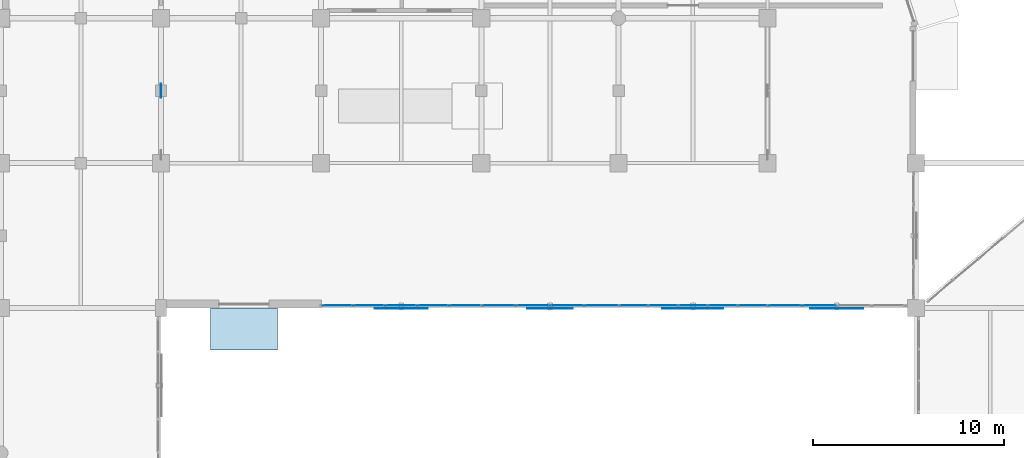
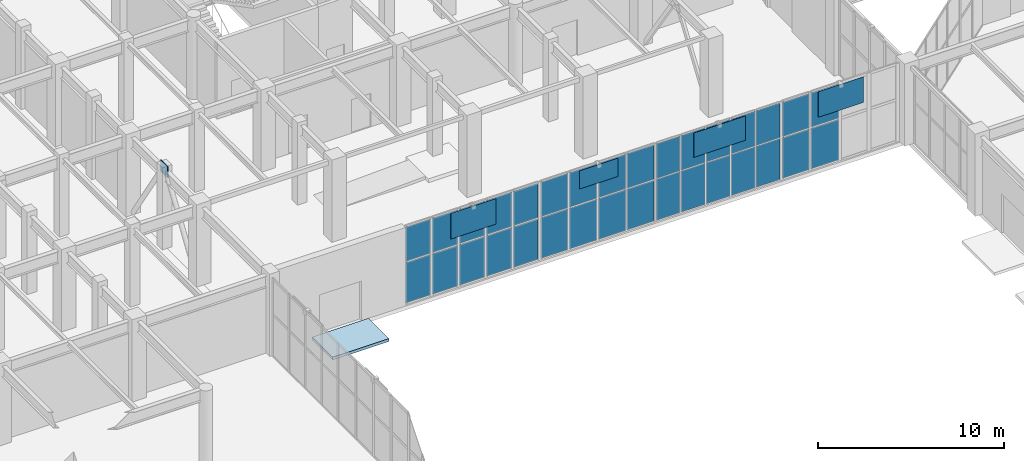
# One storey, part 104 of 139: 37 plates, 1 slab, 4 elements without a shape of their own.
"""IFC4 building model written with IfcOpenShell, lengths in metres."""

from ifc_helpers import new_model, si_unit, direction, frame, origin, origin_2d, place, context, subcontext, project, spatial, polyline, rectangle, outline, extrude, material, layer, layer_set, type_object, element, aggregate, save


model = new_model("IFC4")

# Units and contexts
model_context = context("Model", 3, precision=1e-05, world=origin(), true_north=direction((0.0, 1.0)))
body_context = subcontext(model_context, "Body", "Model", "MODEL_VIEW")
ifc_project = project(units=[si_unit("LENGTHUNIT", "METRE"), si_unit("AREAUNIT", "SQUARE_METRE"), si_unit("VOLUMEUNIT", "CUBIC_METRE"), si_unit("PLANEANGLEUNIT", "RADIAN"), si_unit("MASSUNIT", "GRAM", prefix="KILO")], contexts=[model_context])

# Site, building, storey
site_placement = place(None, origin())
site = spatial("IfcSite", under=ifc_project, at=site_placement, CompositionType="ELEMENT")
building_placement = place(site_placement, origin())
building = spatial("IfcBuilding", under=site, at=building_placement, Name="Xicomal Pleat Aquarium", CompositionType="ELEMENT")
storey_placement = place(building_placement, origin())
storey = spatial("IfcBuildingStorey", under=building, at=storey_placement, Name="L01", CompositionType="ELEMENT", Elevation=0.0)

# Curtain wall, plates
ifc_material_1 = material(Name="Bronze anodized aluminium 6063-T6", Category="aluminium")
ifc_layer_1 = layer(ifc_material_1, 0.159912109375)
ifc_layer_set_1 = layer_set([ifc_layer_1], Name="Bronze anodized aluminium 6063-T6")
curtain_wall_type_1 = type_object("IfcCurtainWallType", Name="CW-SYS-01", PredefinedType="NOTDEFINED", material=ifc_layer_set_1)
curtain_wall_1_placement = place(storey_placement, origin())
curtain_wall_1 = element("IfcCurtainWall", 1, at=curtain_wall_1_placement, inside=storey, type_object=curtain_wall_type_1, Name="L01 unitised curtain wall CW-L01-048", PredefinedType="NOTDEFINED")
ifc_material_2 = material(Name="Insulated low-E laminated glass", Category="glass")
ifc_layer_2 = layer(ifc_material_2, 0.028076171875)
ifc_layer_set_2 = layer_set([ifc_layer_2], Name="Insulated low-E laminated glass")
plate_type_1 = type_object("IfcPlateType", Name="CWP-GLZ-28", PredefinedType="CURTAIN_PANEL", material=ifc_layer_set_2)
plate_1_placement = place(storey_placement, frame((125.20361328125, 30.5400390625, 0.06494140625), z_axis=(0.0, 0.0, 1.0), x_axis=(-1.0, 0.0, 0.0)))
plate_1 = element("IfcPlate", 2, at=plate_1_placement, type_object=plate_type_1, Name="CW-01 panel 1.1", PredefinedType="CURTAIN_PANEL", context=body_context, shape_type="SweptSolid", body=[
    extrude(rectangle(XDim=1.46240234375, YDim=0.028076171875, at=origin_2d()), origin(), (0.0, 0.0, 1.0), 2.6884765625),
])
plate_2_placement = place(storey_placement, frame((125.20361328125, 30.5400390625, 2.818359375), z_axis=(0.0, 0.0, 1.0), x_axis=(-1.0, 0.0, 0.0)))
plate_2 = element("IfcPlate", 3, at=plate_2_placement, type_object=plate_type_1, Name="CW-01 panel 1.2", PredefinedType="CURTAIN_PANEL", context=body_context, shape_type="SweptSolid", body=[
    extrude(rectangle(XDim=1.46240234375, YDim=0.028076171875, at=origin_2d()), origin(), (0.0, 0.0, 1.0), 2.276611328125),
])
plate_3_placement = place(storey_placement, frame((123.659912109375, 30.5400390625, 0.06494140625), z_axis=(0.0, 0.0, 1.0), x_axis=(-1.0, 0.0, 0.0)))
plate_3 = element("IfcPlate", 4, at=plate_3_placement, type_object=plate_type_1, Name="CW-01 panel 2.1", PredefinedType="CURTAIN_PANEL", context=body_context, shape_type="SweptSolid", body=[
    extrude(rectangle(XDim=1.4951171875, YDim=0.028076171875, at=origin_2d()), origin(), (0.0, 0.0, 1.0), 2.6884765625),
])
plate_4_placement = place(storey_placement, frame((123.659912109375, 30.5400390625, 2.818359375), z_axis=(0.0, 0.0, 1.0), x_axis=(-1.0, 0.0, 0.0)))
plate_4 = element("IfcPlate", 5, at=plate_4_placement, type_object=plate_type_1, Name="CW-01 panel 2.2", PredefinedType="CURTAIN_PANEL", context=body_context, shape_type="SweptSolid", body=[
    extrude(rectangle(XDim=1.4951171875, YDim=0.028076171875, at=origin_2d()), origin(), (0.0, 0.0, 1.0), 2.276611328125),
])
plate_5_placement = place(storey_placement, frame((122.10009765625, 30.5400390625, 0.06494140625), z_axis=(0.0, 0.0, 1.0), x_axis=(-1.0, 0.0, 0.0)))
plate_5 = element("IfcPlate", 6, at=plate_5_placement, type_object=plate_type_1, Name="CW-01 panel 3.1", PredefinedType="CURTAIN_PANEL", context=body_context, shape_type="SweptSolid", body=[
    extrude(rectangle(XDim=1.4951171875, YDim=0.028076171875, at=origin_2d()), origin(), (0.0, 0.0, 1.0), 2.6884765625),
])
plate_6_placement = place(storey_placement, frame((122.10009765625, 30.5400390625, 2.818359375), z_axis=(0.0, 0.0, 1.0), x_axis=(-1.0, 0.0, 0.0)))
plate_6 = element("IfcPlate", 7, at=plate_6_placement, type_object=plate_type_1, Name="CW-01 panel 3.2", PredefinedType="CURTAIN_PANEL", context=body_context, shape_type="SweptSolid", body=[
    extrude(rectangle(XDim=1.4951171875, YDim=0.028076171875, at=origin_2d()), origin(), (0.0, 0.0, 1.0), 2.276611328125),
])
plate_7_placement = place(storey_placement, frame((120.5400390625, 30.5400390625, 0.06494140625), z_axis=(0.0, 0.0, 1.0), x_axis=(-1.0, 0.0, 0.0)))
plate_7 = element("IfcPlate", 8, at=plate_7_placement, type_object=plate_type_1, Name="CW-01 panel 4.1", PredefinedType="CURTAIN_PANEL", context=body_context, shape_type="SweptSolid", body=[
    extrude(rectangle(XDim=1.4951171875, YDim=0.028076171875, at=origin_2d()), origin(), (0.0, 0.0, 1.0), 2.6884765625),
])
plate_8_placement = place(storey_placement, frame((120.5400390625, 30.5400390625, 2.818359375), z_axis=(0.0, 0.0, 1.0), x_axis=(-1.0, 0.0, 0.0)))
plate_8 = element("IfcPlate", 9, at=plate_8_placement, type_object=plate_type_1, Name="CW-01 panel 4.2", PredefinedType="CURTAIN_PANEL", context=body_context, shape_type="SweptSolid", body=[
    extrude(rectangle(XDim=1.4951171875, YDim=0.028076171875, at=origin_2d()), origin(), (0.0, 0.0, 1.0), 2.276611328125),
])
plate_9_placement = place(storey_placement, frame((118.996337890625, 30.5400390625, 0.06494140625), z_axis=(0.0, 0.0, 1.0), x_axis=(-1.0, 0.0, 0.0)))
plate_9 = element("IfcPlate", 10, at=plate_9_placement, type_object=plate_type_1, Name="CW-01 panel 5.1", PredefinedType="CURTAIN_PANEL", context=body_context, shape_type="SweptSolid", body=[
    extrude(rectangle(XDim=1.46240234375, YDim=0.028076171875, at=origin_2d()), origin(), (0.0, 0.0, 1.0), 2.6884765625),
])
plate_10_placement = place(storey_placement, frame((118.996337890625, 30.5400390625, 2.818359375), z_axis=(0.0, 0.0, 1.0), x_axis=(-1.0, 0.0, 0.0)))
plate_10 = element("IfcPlate", 11, at=plate_10_placement, type_object=plate_type_1, Name="CW-01 panel 5.2", PredefinedType="CURTAIN_PANEL", context=body_context, shape_type="SweptSolid", body=[
    extrude(rectangle(XDim=1.46240234375, YDim=0.028076171875, at=origin_2d()), origin(), (0.0, 0.0, 1.0), 2.276611328125),
])
aggregate(curtain_wall_1, [plate_1, plate_2, plate_3, plate_4, plate_5, plate_6, plate_7, plate_8, plate_9, plate_10])

ifc_material_3 = material(Name="Bronze anodized aluminium 6063-T6", Category="aluminium")
ifc_layer_3 = layer(ifc_material_3, 0.159912109375)
ifc_layer_set_3 = layer_set([ifc_layer_3], Name="Bronze anodized aluminium 6063-T6")
curtain_wall_type_2 = type_object("IfcCurtainWallType", Name="CW-SYS-06", PredefinedType="NOTDEFINED", material=ifc_layer_set_3)
curtain_wall_2_placement = place(storey_placement, origin())
curtain_wall_2 = element("IfcCurtainWall", 12, at=curtain_wall_2_placement, inside=storey, type_object=curtain_wall_type_2, Name="L01 unitised curtain wall CW-L01-049", PredefinedType="NOTDEFINED")
ifc_material_4 = material(Name="Insulated low-E laminated glass", Category="glass")
ifc_layer_4 = layer(ifc_material_4, 0.031982421875)
ifc_layer_set_4 = layer_set([ifc_layer_4], Name="Insulated low-E laminated glass")
plate_type_2 = type_object("IfcPlateType", Name="CWP-GLZ-32", PredefinedType="CURTAIN_PANEL", material=ifc_layer_set_4)
plate_11_placement = place(storey_placement, frame((117.28125, 30.5400390625, 0.0751953125), z_axis=(0.0, 0.0, 1.0), x_axis=(-1.0, 0.0, 0.0)))
plate_11 = element("IfcPlate", 13, at=plate_11_placement, type_object=plate_type_2, Name="CW-06 panel 1.1", PredefinedType="CURTAIN_PANEL", context=body_context, shape_type="SweptSolid", body=[
    extrude(rectangle(XDim=1.6875, YDim=0.031982421875, at=origin_2d()), origin(), (0.0, 0.0, 1.0), 2.673583984375),
])
plate_12_placement = place(storey_placement, frame((117.28125, 30.5400390625, 2.82373046875), z_axis=(0.0, 0.0, 1.0), x_axis=(-1.0, 0.0, 0.0)))
plate_12 = element("IfcPlate", 14, at=plate_12_placement, type_object=plate_type_2, Name="CW-06 panel 1.2", PredefinedType="CURTAIN_PANEL", context=body_context, shape_type="SweptSolid", body=[
    extrude(rectangle(XDim=1.6875, YDim=0.031982421875, at=origin_2d()), origin(), (0.0, 0.0, 1.0), 2.261474609375),
])
plate_13_placement = place(storey_placement, frame((115.5, 30.5400390625, 0.0751953125), z_axis=(0.0, 0.0, 1.0), x_axis=(-1.0, 0.0, 0.0)))
plate_13 = element("IfcPlate", 15, at=plate_13_placement, type_object=plate_type_2, Name="CW-06 panel 2.1", PredefinedType="CURTAIN_PANEL", context=body_context, shape_type="SweptSolid", body=[
    extrude(rectangle(XDim=1.72509765625, YDim=0.031982421875, at=origin_2d()), origin(), (0.0, 0.0, 1.0), 2.673583984375),
])
plate_14_placement = place(storey_placement, frame((115.5, 30.5400390625, 2.82373046875), z_axis=(0.0, 0.0, 1.0), x_axis=(-1.0, 0.0, 0.0)))
plate_14 = element("IfcPlate", 16, at=plate_14_placement, type_object=plate_type_2, Name="CW-06 panel 2.2", PredefinedType="CURTAIN_PANEL", context=body_context, shape_type="SweptSolid", body=[
    extrude(rectangle(XDim=1.72509765625, YDim=0.031982421875, at=origin_2d()), origin(), (0.0, 0.0, 1.0), 2.261474609375),
])
plate_15_placement = place(storey_placement, frame((113.699951171875, 30.5400390625, 0.0751953125), z_axis=(0.0, 0.0, 1.0), x_axis=(-1.0, 0.0, 0.0)))
plate_15 = element("IfcPlate", 17, at=plate_15_placement, type_object=plate_type_2, Name="CW-06 panel 3.1", PredefinedType="CURTAIN_PANEL", context=body_context, shape_type="SweptSolid", body=[
    extrude(rectangle(XDim=1.72509765625, YDim=0.031982421875, at=origin_2d()), origin(), (0.0, 0.0, 1.0), 2.673583984375),
])
plate_16_placement = place(storey_placement, frame((113.699951171875, 30.5400390625, 2.82373046875), z_axis=(0.0, 0.0, 1.0), x_axis=(-1.0, 0.0, 0.0)))
plate_16 = element("IfcPlate", 18, at=plate_16_placement, type_object=plate_type_2, Name="CW-06 panel 3.2", PredefinedType="CURTAIN_PANEL", context=body_context, shape_type="SweptSolid", body=[
    extrude(rectangle(XDim=1.72509765625, YDim=0.031982421875, at=origin_2d()), origin(), (0.0, 0.0, 1.0), 2.261474609375),
])
plate_17_placement = place(storey_placement, frame((111.918701171875, 30.5400390625, 0.0751953125), z_axis=(0.0, 0.0, 1.0), x_axis=(-1.0, 0.0, 0.0)))
plate_17 = element("IfcPlate", 19, at=plate_17_placement, type_object=plate_type_2, Name="CW-06 panel 4.1", PredefinedType="CURTAIN_PANEL", context=body_context, shape_type="SweptSolid", body=[
    extrude(rectangle(XDim=1.6875, YDim=0.031982421875, at=origin_2d()), origin(), (0.0, 0.0, 1.0), 2.673583984375),
])
plate_18_placement = place(storey_placement, frame((111.918701171875, 30.5400390625, 2.82373046875), z_axis=(0.0, 0.0, 1.0), x_axis=(-1.0, 0.0, 0.0)))
plate_18 = element("IfcPlate", 20, at=plate_18_placement, type_object=plate_type_2, Name="CW-06 panel 4.2", PredefinedType="CURTAIN_PANEL", context=body_context, shape_type="SweptSolid", body=[
    extrude(rectangle(XDim=1.6875, YDim=0.031982421875, at=origin_2d()), origin(), (0.0, 0.0, 1.0), 2.261474609375),
])
aggregate(curtain_wall_2, [plate_11, plate_12, plate_13, plate_14, plate_15, plate_16, plate_17, plate_18])

ifc_material_5 = material(Name="Bronze anodized aluminium 6063-T6", Category="aluminium")
ifc_layer_5 = layer(ifc_material_5, 0.159912109375)
ifc_layer_set_5 = layer_set([ifc_layer_5], Name="Bronze anodized aluminium 6063-T6")
curtain_wall_type_3 = type_object("IfcCurtainWallType", Name="CW-SYS-11", PredefinedType="NOTDEFINED", material=ifc_layer_set_5)
curtain_wall_3_placement = place(storey_placement, origin())
curtain_wall_3 = element("IfcCurtainWall", 21, at=curtain_wall_3_placement, inside=storey, type_object=curtain_wall_type_3, Name="L01 unitised curtain wall CW-L01-050", PredefinedType="NOTDEFINED")
ifc_material_6 = material(Name="Insulated low-E laminated glass", Category="glass")
ifc_layer_6 = layer(ifc_material_6, 0.035888671875)
ifc_layer_set_6 = layer_set([ifc_layer_6], Name="Insulated low-E laminated glass")
plate_type_3 = type_object("IfcPlateType", Name="CWP-GLZ-36", PredefinedType="CURTAIN_PANEL", material=ifc_layer_set_6)
plate_19_placement = place(storey_placement, frame((110.138916015625, 30.5400390625, 0.0849609375), z_axis=(0.0, 0.0, 1.0), x_axis=(-1.0, 0.0, 0.0)))
plate_19 = element("IfcPlate", 22, at=plate_19_placement, type_object=plate_type_3, Name="CW-11 panel 1.1", PredefinedType="CURTAIN_PANEL", context=body_context, shape_type="SweptSolid", body=[
    extrude(rectangle(XDim=1.552490234375, YDim=0.035888671875, at=origin_2d()), origin(), (0.0, 0.0, 1.0), 2.658447265625),
])
plate_20_placement = place(storey_placement, frame((110.138916015625, 30.5400390625, 2.828369140625), z_axis=(0.0, 0.0, 1.0), x_axis=(-1.0, 0.0, 0.0)))
plate_20 = element("IfcPlate", 23, at=plate_20_placement, type_object=plate_type_3, Name="CW-11 panel 1.2", PredefinedType="CURTAIN_PANEL", context=body_context, shape_type="SweptSolid", body=[
    extrude(rectangle(XDim=1.552490234375, YDim=0.035888671875, at=origin_2d()), origin(), (0.0, 0.0, 1.0), 2.24658203125),
])
plate_21_placement = place(storey_placement, frame((108.47998046875, 30.5400390625, 0.0849609375), z_axis=(0.0, 0.0, 1.0), x_axis=(-1.0, 0.0, 0.0)))
plate_21 = element("IfcPlate", 24, at=plate_21_placement, type_object=plate_type_3, Name="CW-11 panel 2.1", PredefinedType="CURTAIN_PANEL", context=body_context, shape_type="SweptSolid", body=[
    extrude(rectangle(XDim=1.594970703125, YDim=0.035888671875, at=origin_2d()), origin(), (0.0, 0.0, 1.0), 2.658447265625),
])
plate_22_placement = place(storey_placement, frame((108.47998046875, 30.5400390625, 2.828369140625), z_axis=(0.0, 0.0, 1.0), x_axis=(-1.0, 0.0, 0.0)))
plate_22 = element("IfcPlate", 25, at=plate_22_placement, type_object=plate_type_3, Name="CW-11 panel 2.2", PredefinedType="CURTAIN_PANEL", context=body_context, shape_type="SweptSolid", body=[
    extrude(rectangle(XDim=1.594970703125, YDim=0.035888671875, at=origin_2d()), origin(), (0.0, 0.0, 1.0), 2.24658203125),
])
plate_23_placement = place(storey_placement, frame((106.800048828125, 30.5400390625, 0.0849609375), z_axis=(0.0, 0.0, 1.0), x_axis=(-1.0, 0.0, 0.0)))
plate_23 = element("IfcPlate", 26, at=plate_23_placement, type_object=plate_type_3, Name="CW-11 panel 3.1", PredefinedType="CURTAIN_PANEL", context=body_context, shape_type="SweptSolid", body=[
    extrude(rectangle(XDim=1.594970703125, YDim=0.035888671875, at=origin_2d()), origin(), (0.0, 0.0, 1.0), 2.658447265625),
])
plate_24_placement = place(storey_placement, frame((106.800048828125, 30.5400390625, 2.828369140625), z_axis=(0.0, 0.0, 1.0), x_axis=(-1.0, 0.0, 0.0)))
plate_24 = element("IfcPlate", 27, at=plate_24_placement, type_object=plate_type_3, Name="CW-11 panel 3.2", PredefinedType="CURTAIN_PANEL", context=body_context, shape_type="SweptSolid", body=[
    extrude(rectangle(XDim=1.594970703125, YDim=0.035888671875, at=origin_2d()), origin(), (0.0, 0.0, 1.0), 2.24658203125),
])
plate_25_placement = place(storey_placement, frame((105.1201171875, 30.5400390625, 0.0849609375), z_axis=(0.0, 0.0, 1.0), x_axis=(-1.0, 0.0, 0.0)))
plate_25 = element("IfcPlate", 28, at=plate_25_placement, type_object=plate_type_3, Name="CW-11 panel 4.1", PredefinedType="CURTAIN_PANEL", context=body_context, shape_type="SweptSolid", body=[
    extrude(rectangle(XDim=1.594970703125, YDim=0.035888671875, at=origin_2d()), origin(), (0.0, 0.0, 1.0), 2.658447265625),
])
plate_26_placement = place(storey_placement, frame((105.1201171875, 30.5400390625, 2.828369140625), z_axis=(0.0, 0.0, 1.0), x_axis=(-1.0, 0.0, 0.0)))
plate_26 = element("IfcPlate", 29, at=plate_26_placement, type_object=plate_type_3, Name="CW-11 panel 4.2", PredefinedType="CURTAIN_PANEL", context=body_context, shape_type="SweptSolid", body=[
    extrude(rectangle(XDim=1.594970703125, YDim=0.035888671875, at=origin_2d()), origin(), (0.0, 0.0, 1.0), 2.24658203125),
])
plate_27_placement = place(storey_placement, frame((103.461181640625, 30.5400390625, 0.0849609375), z_axis=(0.0, 0.0, 1.0), x_axis=(-1.0, 0.0, 0.0)))
plate_27 = element("IfcPlate", 30, at=plate_27_placement, type_object=plate_type_3, Name="CW-11 panel 5.1", PredefinedType="CURTAIN_PANEL", context=body_context, shape_type="SweptSolid", body=[
    extrude(rectangle(XDim=1.552490234375, YDim=0.035888671875, at=origin_2d()), origin(), (0.0, 0.0, 1.0), 2.658447265625),
])
plate_28_placement = place(storey_placement, frame((103.461181640625, 30.5400390625, 2.828369140625), z_axis=(0.0, 0.0, 1.0), x_axis=(-1.0, 0.0, 0.0)))
plate_28 = element("IfcPlate", 31, at=plate_28_placement, type_object=plate_type_3, Name="CW-11 panel 5.2", PredefinedType="CURTAIN_PANEL", context=body_context, shape_type="SweptSolid", body=[
    extrude(rectangle(XDim=1.552490234375, YDim=0.035888671875, at=origin_2d()), origin(), (0.0, 0.0, 1.0), 2.24658203125),
])
aggregate(curtain_wall_3, [plate_19, plate_20, plate_21, plate_22, plate_23, plate_24, plate_25, plate_26, plate_27, plate_28])

curtain_wall_4_placement = place(storey_placement, origin())
curtain_wall_4 = element("IfcCurtainWall", 32, at=curtain_wall_4_placement, inside=storey, type_object=curtain_wall_type_3, Name="L01 unitised curtain wall CW-L01-047", PredefinedType="NOTDEFINED")
ifc_material_7 = material(Name="Insulated low-E laminated glass", Category="glass")
ifc_layer_7 = layer(ifc_material_7, 0.0419921875)
ifc_layer_set_7 = layer_set([ifc_layer_7], Name="Insulated low-E laminated glass")
plate_type_4 = type_object("IfcPlateType", Name="CWP-GLZ-42", PredefinedType="CURTAIN_PANEL", material=ifc_layer_set_7)
plate_29_placement = place(storey_placement, frame((128.72998046875, 30.5400390625, 0.0849609375), z_axis=(0.0, 0.0, 1.0), x_axis=(-1.0, 0.0, 0.0)))
plate_29 = element("IfcPlate", 33, at=plate_29_placement, type_object=plate_type_4, Name="CW-11 panel 3.1", PredefinedType="CURTAIN_PANEL", context=body_context, shape_type="SweptSolid", body=[
    extrude(rectangle(XDim=1.735107421875, YDim=0.0419921875, at=origin_2d()), origin(), (0.0, 0.0, 1.0), 2.658447265625),
])
plate_30_placement = place(storey_placement, frame((128.72998046875, 30.5400390625, 2.828369140625), z_axis=(0.0, 0.0, 1.0), x_axis=(-1.0, 0.0, 0.0)))
plate_30 = element("IfcPlate", 34, at=plate_30_placement, type_object=plate_type_4, Name="CW-11 panel 3.2", PredefinedType="CURTAIN_PANEL", context=body_context, shape_type="SweptSolid", body=[
    extrude(rectangle(XDim=1.735107421875, YDim=0.0419921875, at=origin_2d()), origin(), (0.0, 0.0, 1.0), 2.24658203125),
])
plate_31_placement = place(storey_placement, frame((126.931396484375, 30.5400390625, 0.0849609375), z_axis=(0.0, 0.0, 1.0), x_axis=(-1.0, 0.0, 0.0)))
plate_31 = element("IfcPlate", 35, at=plate_31_placement, type_object=plate_type_4, Name="CW-11 panel 4.1", PredefinedType="CURTAIN_PANEL", context=body_context, shape_type="SweptSolid", body=[
    extrude(rectangle(XDim=1.6923828125, YDim=0.0419921875, at=origin_2d()), origin(), (0.0, 0.0, 1.0), 2.658447265625),
])
plate_32_placement = place(storey_placement, frame((126.931396484375, 30.5400390625, 2.828369140625), z_axis=(0.0, 0.0, 1.0), x_axis=(-1.0, 0.0, 0.0)))
plate_32 = element("IfcPlate", 36, at=plate_32_placement, type_object=plate_type_4, Name="CW-11 panel 4.2", PredefinedType="CURTAIN_PANEL", context=body_context, shape_type="SweptSolid", body=[
    extrude(rectangle(XDim=1.6923828125, YDim=0.0419921875, at=origin_2d()), origin(), (0.0, 0.0, 1.0), 2.24658203125),
])
aggregate(curtain_wall_4, [plate_29, plate_30, plate_31, plate_32])

# Plates
ifc_material_8 = material(Name="Structural steel A992 Gr 50", Category="steel")
ifc_layer_8 = layer(ifc_material_8, 0.044921875)
ifc_layer_set_8 = layer_set([ifc_layer_8], Name="Structural steel A992 Gr 50")
plate_type_5 = type_object("IfcPlateType", Name="PLT-GUS-45", PredefinedType="USERDEFINED", material=ifc_layer_set_8)
plate_33_placement = place(storey_placement, frame((94.199951171875, 41.800048828125, 4.675048828125), z_axis=(0.0, 0.0, 1.0), x_axis=(0.0, 1.0, 0.0)))
element("IfcPlate", 37, at=plate_33_placement, inside=storey, type_object=plate_type_5, Name="L01 chevron gusset node plate 16", ObjectType="GUSSET PLATE", PredefinedType="USERDEFINED", context=body_context, shape_type="SweptSolid", body=[
    extrude(rectangle(XDim=0.75, YDim=0.044921875, at=origin_2d()), origin(), (0.0, 0.0, 1.0), 0.75),
])
ifc_material_9 = material(Name="Perforated bronze anodized aluminium", Category="aluminium")
ifc_layer_9 = layer(ifc_material_9, 0.01611328125)
ifc_layer_set_9 = layer_set([ifc_layer_9], Name="Perforated bronze anodized aluminium")
plate_type_6 = type_object("IfcPlateType", Name="PLT-SUN-16", PredefinedType="USERDEFINED", material=ifc_layer_set_9)
plate_34_placement = place(storey_placement, frame((114.60009765625, 30.3798828125, 3.919921875), z_axis=(0.0, 0.0, 1.0), x_axis=(-1.0, 0.0, 0.0)))
element("IfcPlate", 38, at=plate_34_placement, inside=storey, type_object=plate_type_6, Name="L01 perforated solar sunshade 24", ObjectType="SUNSHADE PANEL", PredefinedType="USERDEFINED", context=body_context, shape_type="SweptSolid", body=[
    extrude(rectangle(XDim=2.39990234375, YDim=0.01611328125, at=origin_2d()), origin(), (0.0, 0.0, 1.0), 1.199951171875),
])
ifc_material_10 = material(Name="Perforated bronze anodized aluminium", Category="aluminium")
ifc_layer_10 = layer(ifc_material_10, 0.02001953125)
ifc_layer_set_10 = layer_set([ifc_layer_10], Name="Perforated bronze anodized aluminium")
plate_type_7 = type_object("IfcPlateType", Name="PLT-SUN-20", PredefinedType="USERDEFINED", material=ifc_layer_set_10)
for number, where, z_axis, x_axis, name in (
    (39, (129.639892578125, 30.3798828125, 3.43994140625), (0.0, 0.0, 1.0), (-1.0, 0.0, 0.0), "L01 perforated solar sunshade 22"),
    (40, (106.800048828125, 30.3798828125, 3.43994140625), (0.0, 0.0, 1.0), (-1.0, 0.0, 0.0), "L01 perforated solar sunshade 25"),
):
    element("IfcPlate", number, at=place(storey_placement, frame(where, z_axis=z_axis, x_axis=x_axis)), inside=storey, type_object=plate_type_7, Name=name, ObjectType="SUNSHADE PANEL", PredefinedType="USERDEFINED", context=body_context, shape_type="SweptSolid", body=[
        extrude(rectangle(XDim=2.800048828125, YDim=0.02001953125, at=origin_2d()), origin(), (0.0, 0.0, 1.0), 1.679931640625),
    ])
ifc_material_11 = material(Name="Perforated bronze anodized aluminium", Category="aluminium")
ifc_layer_11 = layer(ifc_material_11, 0.02392578125)
ifc_layer_set_11 = layer_set([ifc_layer_11], Name="Perforated bronze anodized aluminium")
plate_type_8 = type_object("IfcPlateType", Name="PLT-SUN-24", PredefinedType="USERDEFINED", material=ifc_layer_set_11)
plate_35_placement = place(storey_placement, frame((122.10009765625, 30.3798828125, 3.52001953125), z_axis=(0.0, 0.0, 1.0), x_axis=(-1.0, 0.0, 0.0)))
element("IfcPlate", 41, at=plate_35_placement, inside=storey, type_object=plate_type_8, Name="L01 perforated solar sunshade 23", ObjectType="SUNSHADE PANEL", PredefinedType="USERDEFINED", context=body_context, shape_type="SweptSolid", body=[
    extrude(rectangle(XDim=3.199951171875, YDim=0.02392578125, at=origin_2d()), origin(), (0.0, 0.0, 1.0), 1.60009765625),
])

# Slab
ifc_material_12 = material(Name="Concrete C40/50", Category="concrete")
ifc_layer_12 = layer(ifc_material_12, 0.18505859375)
ifc_layer_set_12 = layer_set([ifc_layer_12], Name="Concrete C40/50")
slab_type = type_object("IfcSlabType", Name="SLB-TER-185", PredefinedType="FLOOR", material=ifc_layer_set_12)
slab_placement = place(storey_placement, frame((0.0, 0.0, -0.18505859375)))
element("IfcSlab", 42, at=slab_placement, inside=storey, type_object=slab_type, Name="Exterior grade entrance apron SL-APR-EX-17", PredefinedType="FLOOR", context=body_context, shape_type="SweptSolid", body=[
    extrude(outline(polyline([(100.302001953125, 28.199951171875), (96.802001953125, 28.199951171875), (96.802001953125, 30.39990234375), (100.302001953125, 30.39990234375), (100.302001953125, 28.199951171875)])), origin(), (0.0, 0.0, 1.0), 0.18505859375),
])

save(model, "model.ifc")
